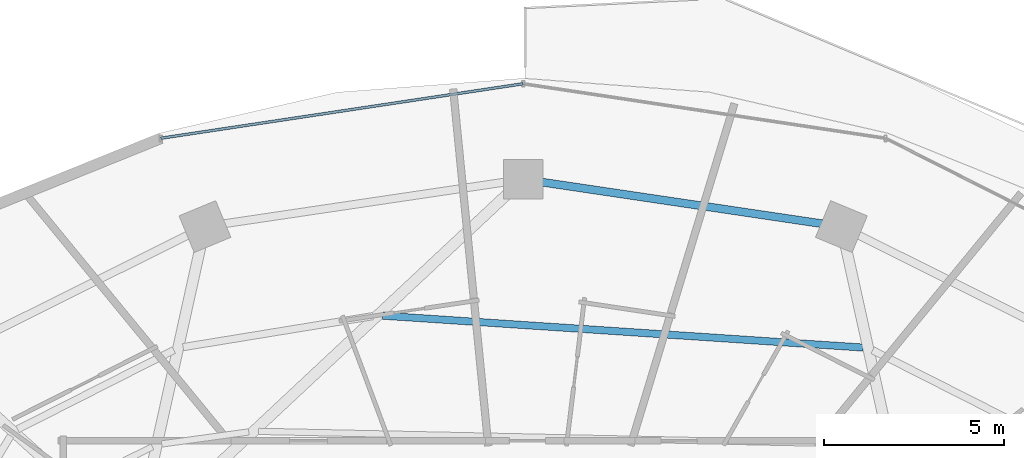
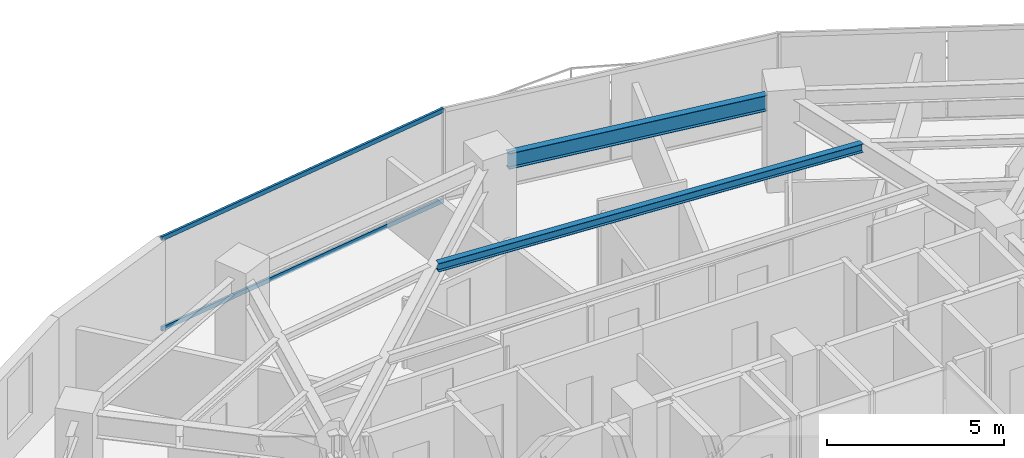
# One storey, part 18 of 29: 2 beams, 2 members, 1 element without a shape of its own.
"""IFC4 building model written with IfcOpenShell, lengths in metres."""

from ifc_helpers import new_model, si_unit, direction, frame, origin, origin_2d, place, context, subcontext, project, spatial, hollow_rectangle, i_section, extrude, material, material_profile, profile_set, type_object, element, aggregate, save


model = new_model("IFC4")

# Units and contexts
model_context = context("Model", 3, precision=1e-05, world=origin(), true_north=direction((0.0, 1.0)))
body_context = subcontext(model_context, "Body", "Model", "MODEL_VIEW")
ifc_project = project(units=[si_unit("LENGTHUNIT", "METRE"), si_unit("AREAUNIT", "SQUARE_METRE"), si_unit("VOLUMEUNIT", "CUBIC_METRE"), si_unit("PLANEANGLEUNIT", "RADIAN"), si_unit("MASSUNIT", "GRAM", prefix="KILO")], contexts=[model_context])

# Site, building, storey
site_placement = place(None, origin())
site = spatial("IfcSite", under=ifc_project, at=site_placement, CompositionType="ELEMENT")
building_placement = place(site_placement, origin())
building = spatial("IfcBuilding", under=site, at=building_placement, Name="Vorneva Point Tower", CompositionType="ELEMENT")
storey_placement = place(building_placement, frame((0.0, 0.0, 120.800048828125)))
storey = spatial("IfcBuildingStorey", under=building, at=storey_placement, Name="L32", CompositionType="ELEMENT", Elevation=120.800048828125)

# Beams
ifc_material_1 = material(Name="Steel S355", Category="steel")
ifc_material_profile_1 = material_profile(ifc_material_1, i_section(OverallWidth=0.199951171875, OverallDepth=0.291015625, WebThickness=0.008056640625, FlangeThickness=0.010986328125, at=origin_2d()), Name="30Sh1")
ifc_profile_set_1 = profile_set([ifc_material_profile_1], Name="Steel S355")
beam_type_1 = type_object("IfcBeamType", Name="BM-SEC-30Sh1", PredefinedType="BEAM", material=ifc_profile_set_1)
beam_1_placement = place(storey_placement, frame((47.425537109375, 38.53662109375, 3.00439453125), z_axis=(-0.997801151854, 0.066278664436, 0.0), x_axis=(-0.066278664436, -0.997801151854, 0.0)))
element("IfcBeam", 1, at=beam_1_placement, inside=storey, type_object=beam_type_1, Name="L32 Secondary Floor Beam 1.04", PredefinedType="BEAM", context=body_context, shape_type="SweptSolid", body=[
    extrude(i_section(OverallWidth=0.199951171875, OverallDepth=0.291015625, WebThickness=0.008056640625, FlangeThickness=0.010986328125, at=origin_2d()), origin(), (0.0, 0.0, 1.0), 13.34912109375),
])
ifc_material_profile_2 = material_profile(ifc_material_1, i_section(OverallWidth=0.219970703125, OverallDepth=0.54296875, WebThickness=0.009521484375, FlangeThickness=0.013427734375, at=origin_2d()), Name="55B1")
ifc_profile_set_2 = profile_set([ifc_material_profile_2], Name="Steel S355")
beam_type_2 = type_object("IfcBeamType", Name="BM-SPN-55B1", PredefinedType="SPANDREL", material=ifc_profile_set_2)
beam_2_placement = place(storey_placement, frame((46.291748046875, 41.96923828125, 2.87841796875), z_axis=(-0.989164507783, 0.146811363806, 0.0), x_axis=(-0.146811363806, -0.989164507783, 0.0)))
element("IfcBeam", 2, at=beam_2_placement, inside=storey, type_object=beam_type_2, Name="L32 Perimeter Spandrel Ring Beam 04", PredefinedType="SPANDREL", context=body_context, shape_type="SweptSolid", body=[
    extrude(i_section(OverallWidth=0.219970703125, OverallDepth=0.54296875, WebThickness=0.009521484375, FlangeThickness=0.013427734375, at=origin_2d()), origin(), (0.0, 0.0, 1.0), 7.847412109375),
])

# Curtain wall, members
ifc_material_2 = material(Name="Pale anodised aluminium", Category="aluminium")
curtain_wall_type = type_object("IfcCurtainWallType", Name="CW-HTL-SYS", PredefinedType="NOTDEFINED", material=ifc_material_2)
curtain_wall_placement = place(storey_placement, origin())
curtain_wall = element("IfcCurtainWall", 3, at=curtain_wall_placement, inside=storey, type_object=curtain_wall_type, Name="L32 Unitised Curtain Wall CW-L32-R01", PredefinedType="NOTDEFINED")
ifc_material_profile_3 = material_profile(ifc_material_2, hollow_rectangle(XDim=0.074951171875, YDim=0.14990234375, WallThickness=0.00390625, at=origin_2d()), Name="AL-TRN 150x75x4")
ifc_profile_set_3 = profile_set([ifc_material_profile_3], Name="Pale anodised aluminium")
member_type = type_object("IfcMemberType", Name="CW-TRN-150", PredefinedType="USERDEFINED", material=ifc_profile_set_3)
member_1_placement = place(storey_placement, frame((38.0, 45.85009765625, 0.02001953125), z_axis=(-0.988875982167, -0.148742367512, 0.0), x_axis=(0.148742367512, -0.988875982167, 0.0)))
member_1 = element("IfcMember", 4, at=member_1_placement, type_object=member_type, Name="CW-L32-R01 Transom 04.1", ObjectType="TRANSOM", PredefinedType="USERDEFINED", context=body_context, shape_type="SweptSolid", body=[
    extrude(hollow_rectangle(XDim=0.074951171875, YDim=0.14990234375, WallThickness=0.00390625, at=origin_2d()), origin(), (0.0, 0.0, 1.0), 10.158447265625),
])
member_2_placement = place(storey_placement, frame((38.0, 45.85009765625, 3.1298828125), z_axis=(-0.988875982167, -0.148742367512, 0.0), x_axis=(0.148742367512, -0.988875982167, 0.0)))
member_2 = element("IfcMember", 5, at=member_2_placement, type_object=member_type, Name="CW-L32-R01 Transom 04.2", ObjectType="TRANSOM", PredefinedType="USERDEFINED", context=body_context, shape_type="SweptSolid", body=[
    extrude(hollow_rectangle(XDim=0.074951171875, YDim=0.14990234375, WallThickness=0.00390625, at=origin_2d()), origin(), (0.0, 0.0, 1.0), 10.158447265625),
])
aggregate(curtain_wall, [member_1, member_2])

save(model, "model.ifc")
